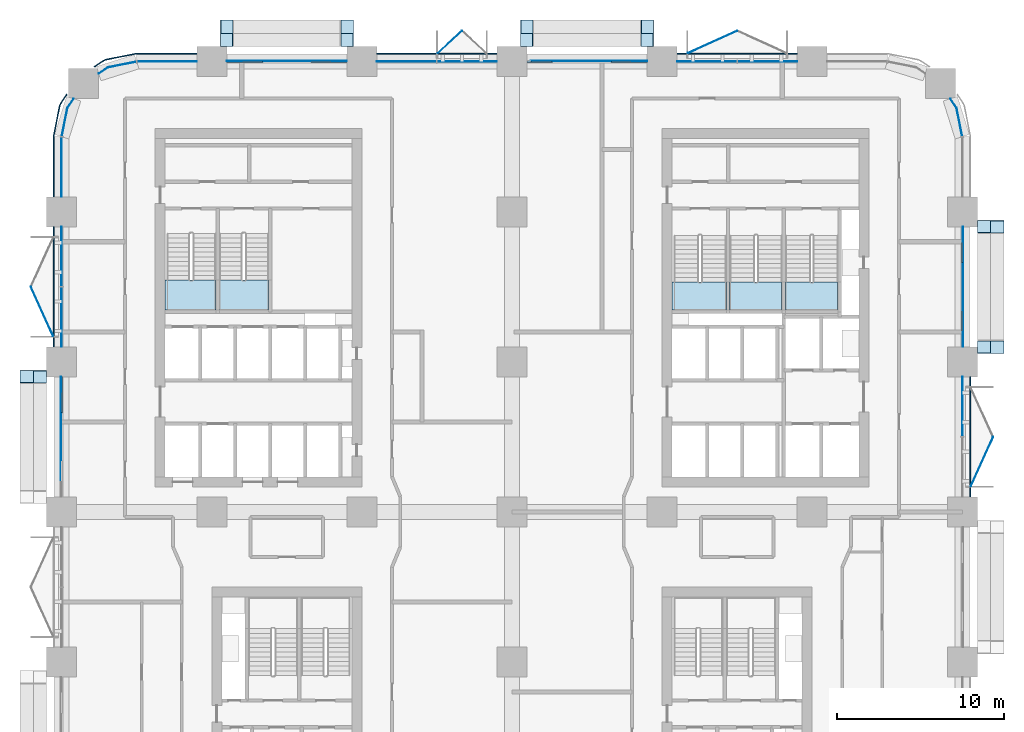
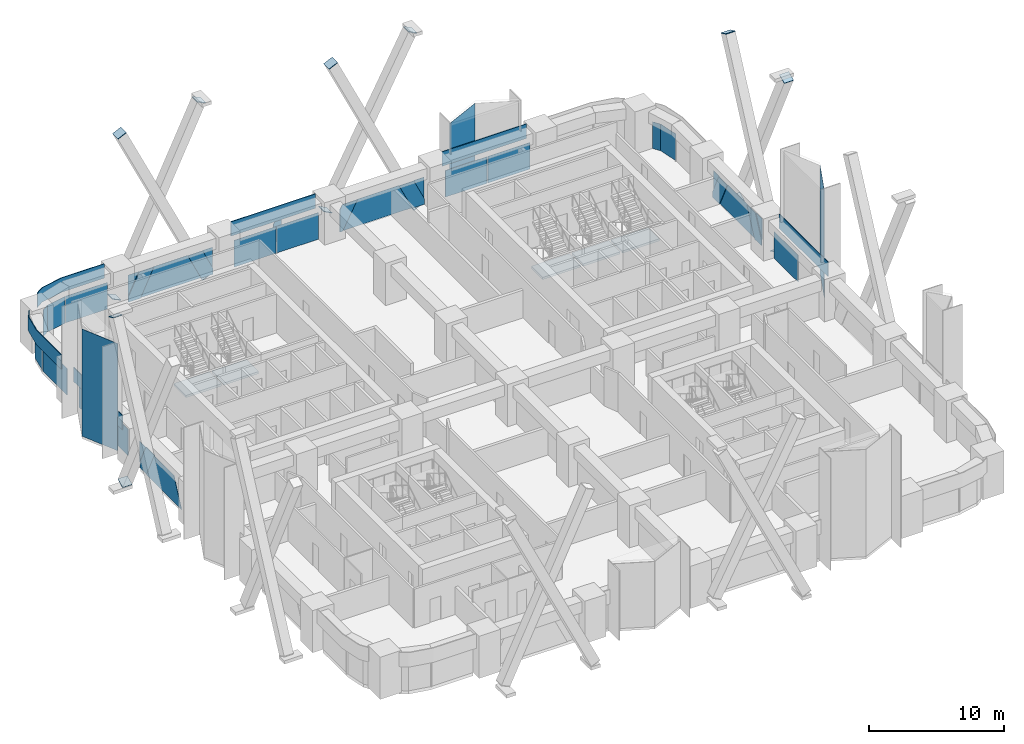
# One storey, part 13 of 26: 53 plates, 5 slabs, 16 elements without a shape of their own.
"""IFC4 building model written with IfcOpenShell, lengths in metres."""

from ifc_helpers import new_model, si_unit, direction, frame, origin, origin_2d, place, context, subcontext, project, spatial, polyline, rectangle, outline, extrude, material, layer, layer_set, type_object, element, aggregate, save


model = new_model("IFC4")

# Units and contexts
model_context = context("Model", 3, precision=1e-05, world=origin(), true_north=direction((0.0, 1.0)))
body_context = subcontext(model_context, "Body", "Model", "MODEL_VIEW")
ifc_project = project(units=[si_unit("LENGTHUNIT", "METRE"), si_unit("AREAUNIT", "SQUARE_METRE"), si_unit("VOLUMEUNIT", "CUBIC_METRE"), si_unit("PLANEANGLEUNIT", "RADIAN"), si_unit("MASSUNIT", "GRAM", prefix="KILO")], contexts=[model_context])

# Site, building, storey
site_placement = place(None, origin())
site = spatial("IfcSite", under=ifc_project, at=site_placement, CompositionType="ELEMENT")
building_placement = place(site_placement, origin())
building = spatial("IfcBuilding", under=site, at=building_placement, Name="Tessera Arch", CompositionType="ELEMENT")
storey_placement = place(building_placement, frame((0.0, 0.0, 31.0)))
storey = spatial("IfcBuildingStorey", under=building, at=storey_placement, Name="L05", CompositionType="ELEMENT", Elevation=31.0)

# Curtain wall, plate
ifc_material_1 = material(Name="CW1 curtain wall")
curtain_wall_type_1 = type_object("IfcCurtainWallType", Name="CW1 curtain wall", PredefinedType="NOTDEFINED", material=ifc_material_1)
curtain_wall_1_placement = place(storey_placement, origin())
curtain_wall_1 = element("IfcCurtainWall", 1, at=curtain_wall_1_placement, inside=storey, type_object=curtain_wall_type_1, Name="CW1 curtain wall E54.0/3 L05", PredefinedType="NOTDEFINED")
ifc_material_2 = material(Name="Clear low-e glass", Category="glass")
ifc_material_3 = material(Name="Clear low-e glass", Category="glass")
ifc_layer_1 = layer(ifc_material_3, 0.028076171875)
ifc_layer_set_1 = layer_set([ifc_layer_1], Name="CW1 glass panel")
plate_type_1 = type_object("IfcPlateType", Name="CW1 glass panel", PredefinedType="CURTAIN_PANEL", material=ifc_layer_set_1)
plate_1_placement = place(storey_placement, frame((54.0, 33.31494140625, 0.0), z_axis=(0.0, 0.0, 1.0), x_axis=(0.0, 1.0, 0.0)))
plate_1 = element("IfcPlate", 2, at=plate_1_placement, type_object=plate_type_1, material=ifc_material_2, Name="CW1 glass panel E54.0/3 1.2.1", PredefinedType="CURTAIN_PANEL", context=body_context, shape_type="SweptSolid", body=[
    extrude(rectangle(XDim=3.570068359375, YDim=0.028076171875, at=origin_2d()), origin(), (0.0, 0.0, 1.0), 2.39990234375),
])

# Curtain wall, plates
curtain_wall_2_placement = place(storey_placement, origin())
curtain_wall_2 = element("IfcCurtainWall", 3, at=curtain_wall_2_placement, inside=storey, type_object=curtain_wall_type_1, Name="CW1 curtain wall N54.0/1 L05", PredefinedType="NOTDEFINED")
plate_2_placement = place(storey_placement, frame((42.31494140625, 54.0, 0.0), z_axis=(0.0, 0.0, 1.0), x_axis=(-1.0, 0.0, 0.0)))
plate_2 = element("IfcPlate", 4, at=plate_2_placement, type_object=plate_type_1, material=ifc_material_2, Name="CW1 glass panel N54.0/1 1.1.1", PredefinedType="CURTAIN_PANEL", context=body_context, shape_type="SweptSolid", body=[
    extrude(rectangle(XDim=3.570068359375, YDim=0.028076171875, at=origin_2d()), origin(), (0.0, 0.0, 1.0), 2.39990234375),
])
plate_3_placement = place(storey_placement, frame((38.68505859375, 54.0, 0.0), z_axis=(0.0, 0.0, 1.0), x_axis=(-1.0, 0.0, 0.0)))
plate_3 = element("IfcPlate", 5, at=plate_3_placement, type_object=plate_type_1, material=ifc_material_2, Name="CW1 glass panel N54.0/1 1.2.1", PredefinedType="CURTAIN_PANEL", context=body_context, shape_type="SweptSolid", body=[
    extrude(rectangle(XDim=3.570068359375, YDim=0.028076171875, at=origin_2d()), origin(), (0.0, 0.0, 1.0), 2.39990234375),
])

curtain_wall_3_placement = place(storey_placement, origin())
curtain_wall_3 = element("IfcCurtainWall", 6, at=curtain_wall_3_placement, inside=storey, type_object=curtain_wall_type_1, Name="CW1 curtain wall N54.0/3 L05", PredefinedType="NOTDEFINED")
plate_4_placement = place(storey_placement, frame((24.31494140625, 54.0, 0.0), z_axis=(0.0, 0.0, 1.0), x_axis=(-1.0, 0.0, 0.0)))
plate_4 = element("IfcPlate", 7, at=plate_4_placement, type_object=plate_type_1, material=ifc_material_2, Name="CW1 glass panel N54.0/3 1.1.1", PredefinedType="CURTAIN_PANEL", context=body_context, shape_type="SweptSolid", body=[
    extrude(rectangle(XDim=3.570068359375, YDim=0.028076171875, at=origin_2d()), origin(), (0.0, 0.0, 1.0), 2.39990234375),
])
plate_5_placement = place(storey_placement, frame((20.68505859375, 54.0, 0.0), z_axis=(0.0, 0.0, 1.0), x_axis=(-1.0, 0.0, 0.0)))
plate_5 = element("IfcPlate", 8, at=plate_5_placement, type_object=plate_type_1, material=ifc_material_2, Name="CW1 glass panel N54.0/3 1.2.1", PredefinedType="CURTAIN_PANEL", context=body_context, shape_type="SweptSolid", body=[
    extrude(rectangle(XDim=3.570068359375, YDim=0.028076171875, at=origin_2d()), origin(), (0.0, 0.0, 1.0), 2.39990234375),
])

curtain_wall_4_placement = place(storey_placement, origin())
curtain_wall_4 = element("IfcCurtainWall", 9, at=curtain_wall_4_placement, inside=storey, type_object=curtain_wall_type_1, Name="CW1 curtain wall W0.0/1 L05", PredefinedType="NOTDEFINED")
plate_6_placement = place(storey_placement, frame((0.0, 42.31494140625, 0.0), z_axis=(0.0, 0.0, 1.0), x_axis=(0.0, -1.0, 0.0)))
plate_6 = element("IfcPlate", 10, at=plate_6_placement, type_object=plate_type_1, material=ifc_material_2, Name="CW1 glass panel W0.0/1 1.1.1", PredefinedType="CURTAIN_PANEL", context=body_context, shape_type="SweptSolid", body=[
    extrude(rectangle(XDim=3.570068359375, YDim=0.028076171875, at=origin_2d()), origin(), (0.0, 0.0, 1.0), 2.39990234375),
])
plate_7_placement = place(storey_placement, frame((0.0, 38.68505859375, 0.0), z_axis=(0.0, 0.0, 1.0), x_axis=(0.0, -1.0, 0.0)))
plate_7 = element("IfcPlate", 11, at=plate_7_placement, type_object=plate_type_1, material=ifc_material_2, Name="CW1 glass panel W0.0/1 1.2.1", PredefinedType="CURTAIN_PANEL", context=body_context, shape_type="SweptSolid", body=[
    extrude(rectangle(XDim=3.570068359375, YDim=0.028076171875, at=origin_2d()), origin(), (0.0, 0.0, 1.0), 2.39990234375),
])

# Plate
ifc_material_4 = material(Name="Pale anodised aluminium panel", Category="aluminium")
ifc_layer_2 = layer(ifc_material_4, 0.06005859375)
ifc_layer_set_2 = layer_set([ifc_layer_2], Name="CW1 spandrel panel")
plate_type_2 = type_object("IfcPlateType", Name="CW1 spandrel panel", PredefinedType="CURTAIN_PANEL", material=ifc_layer_set_2)
plate_8_placement = place(storey_placement, frame((54.47998046875, 31.5, 2.5), z_axis=(0.0, 0.0, 1.0), x_axis=(0.0, 1.0, 0.0)))
plate_8 = element("IfcPlate", 12, at=plate_8_placement, type_object=plate_type_2, Name="CW1 spandrel panel E54.0/3", PredefinedType="CURTAIN_PANEL", context=body_context, shape_type="SweptSolid", body=[
    extrude(rectangle(XDim=7.199951171875, YDim=0.06005859375, at=origin_2d()), origin(), (0.0, 0.0, 1.0), 1.300048828125),
])

aggregate(curtain_wall_1, [plate_1, plate_8])

plate_9_placement = place(storey_placement, frame((40.5, 54.47998046875, 2.5), z_axis=(0.0, 0.0, 1.0), x_axis=(-1.0, 0.0, 0.0)))
plate_9 = element("IfcPlate", 13, at=plate_9_placement, type_object=plate_type_2, Name="CW1 spandrel panel N54.0/1", PredefinedType="CURTAIN_PANEL", context=body_context, shape_type="SweptSolid", body=[
    extrude(rectangle(XDim=7.199951171875, YDim=0.06005859375, at=origin_2d()), origin(), (0.0, 0.0, 1.0), 1.300048828125),
])

aggregate(curtain_wall_2, [plate_2, plate_3, plate_9])

plate_10_placement = place(storey_placement, frame((22.5, 54.47998046875, 2.5), z_axis=(0.0, 0.0, 1.0), x_axis=(-1.0, 0.0, 0.0)))
plate_10 = element("IfcPlate", 14, at=plate_10_placement, type_object=plate_type_2, Name="CW1 spandrel panel N54.0/3", PredefinedType="CURTAIN_PANEL", context=body_context, shape_type="SweptSolid", body=[
    extrude(rectangle(XDim=7.199951171875, YDim=0.06005859375, at=origin_2d()), origin(), (0.0, 0.0, 1.0), 1.300048828125),
])

aggregate(curtain_wall_3, [plate_4, plate_5, plate_10])

plate_11_placement = place(storey_placement, frame((-0.47998046875, 40.5, 2.5), z_axis=(0.0, 0.0, 1.0), x_axis=(0.0, -1.0, 0.0)))
plate_11 = element("IfcPlate", 15, at=plate_11_placement, type_object=plate_type_2, Name="CW1 spandrel panel W0.0/1", PredefinedType="CURTAIN_PANEL", context=body_context, shape_type="SweptSolid", body=[
    extrude(rectangle(XDim=7.199951171875, YDim=0.06005859375, at=origin_2d()), origin(), (0.0, 0.0, 1.0), 1.300048828125),
])

aggregate(curtain_wall_4, [plate_6, plate_7, plate_11])

# Curtain wall, plate
ifc_material_5 = material(Name="CW2 curtain wall")
curtain_wall_type_2 = type_object("IfcCurtainWallType", Name="CW2 curtain wall", PredefinedType="NOTDEFINED", material=ifc_material_5)
curtain_wall_5_placement = place(storey_placement, origin())
curtain_wall_5 = element("IfcCurtainWall", 16, at=curtain_wall_5_placement, inside=storey, type_object=curtain_wall_type_2, Name="CW2 curtain wall E54.0/5 L05", PredefinedType="NOTDEFINED")
ifc_material_6 = material(Name="Clear low-e glass", Category="glass")
ifc_layer_3 = layer(ifc_material_6, 0.028076171875)
ifc_layer_set_3 = layer_set([ifc_layer_3], Name="CW2 glass panel")
plate_type_3 = type_object("IfcPlateType", Name="CW2 glass panel", PredefinedType="CURTAIN_PANEL", material=ifc_layer_set_3)
plate_12_placement = place(storey_placement, origin())
plate_12 = element("IfcPlate", 17, at=plate_12_placement, type_object=plate_type_3, material=ifc_material_2, Name="CW2 curved glass panel E54.0/5 2.1", PredefinedType="CURTAIN_PANEL", context=body_context, shape_type="SweptSolid", body=[
    extrude(outline(polyline([(53.644287109375, 51.216552734375), (53.978515625, 49.53662109375), (54.005859375, 49.5419921875), (53.670654296875, 51.2275390625), (53.294921875, 51.789794921875), (53.271728515625, 51.774169921875), (53.644287109375, 51.216552734375)])), origin(), (0.0, 0.0, 1.0), 2.39990234375),
])
aggregate(curtain_wall_5, [plate_12])

# Curtain wall, plates
curtain_wall_6_placement = place(storey_placement, origin())
curtain_wall_6 = element("IfcCurtainWall", 18, at=curtain_wall_6_placement, inside=storey, type_object=curtain_wall_type_2, Name="CW2 curtain wall N54.0/5 L05", PredefinedType="NOTDEFINED")
plate_13_placement = place(storey_placement, frame((6.320068359375, 54.0, 0.0), z_axis=(0.0, 0.0, 1.0), x_axis=(-1.0, 0.0, 0.0)))
plate_13 = element("IfcPlate", 19, at=plate_13_placement, type_object=plate_type_3, material=ifc_material_2, Name="CW2 glass panel N54.0/5 1.1", PredefinedType="CURTAIN_PANEL", context=body_context, shape_type="SweptSolid", body=[
    extrude(rectangle(XDim=3.56005859375, YDim=0.028076171875, at=origin_2d()), origin(), (0.0, 0.0, 1.0), 2.39990234375),
])
plate_14_placement = place(storey_placement, origin())
plate_14 = element("IfcPlate", 20, at=plate_14_placement, type_object=plate_type_3, material=ifc_material_2, Name="CW2 curved glass panel N54.0/5 2.1", PredefinedType="CURTAIN_PANEL", context=body_context, shape_type="SweptSolid", body=[
    extrude(outline(polyline([(2.783447265625, 53.644287109375), (4.46337890625, 53.978515625), (4.4580078125, 54.005859375), (2.7724609375, 53.670654296875), (2.210205078125, 53.294921875), (2.225830078125, 53.271728515625), (2.783447265625, 53.644287109375)])), origin(), (0.0, 0.0, 1.0), 2.39990234375),
])

curtain_wall_7_placement = place(storey_placement, origin())
curtain_wall_7 = element("IfcCurtainWall", 21, at=curtain_wall_7_placement, inside=storey, type_object=curtain_wall_type_2, Name="CW2 curtain wall W0.0/0 L05", PredefinedType="NOTDEFINED")
plate_15_placement = place(storey_placement, frame((0.0, 47.679931640625, 0.0), z_axis=(0.0, 0.0, 1.0), x_axis=(0.0, -1.0, 0.0)))
plate_15 = element("IfcPlate", 22, at=plate_15_placement, type_object=plate_type_3, material=ifc_material_2, Name="CW2 glass panel W0.0/0 1.1", PredefinedType="CURTAIN_PANEL", context=body_context, shape_type="SweptSolid", body=[
    extrude(rectangle(XDim=3.56005859375, YDim=0.028076171875, at=origin_2d()), origin(), (0.0, 0.0, 1.0), 2.39990234375),
])
plate_16_placement = place(storey_placement, origin())
plate_16 = element("IfcPlate", 23, at=plate_16_placement, type_object=plate_type_3, material=ifc_material_2, Name="CW2 curved glass panel W0.0/0 2.1", PredefinedType="CURTAIN_PANEL", context=body_context, shape_type="SweptSolid", body=[
    extrude(outline(polyline([(0.355712890625, 51.216552734375), (0.728271484375, 51.774169921875), (0.705078125, 51.789794921875), (0.329345703125, 51.2275390625), (-0.005859375, 49.5419921875), (0.021484375, 49.53662109375), (0.355712890625, 51.216552734375)])), origin(), (0.0, 0.0, 1.0), 2.39990234375),
])

# Plate
ifc_material_7 = material(Name="Pale anodised aluminium panel", Category="aluminium")
ifc_layer_4 = layer(ifc_material_7, 0.06005859375)
ifc_layer_set_4 = layer_set([ifc_layer_4], Name="CW2 spandrel panel")
plate_type_4 = type_object("IfcPlateType", Name="CW2 spandrel panel", PredefinedType="CURTAIN_PANEL", material=ifc_layer_set_4)
plate_17_placement = place(storey_placement, frame((0.0, 0.0, 2.5)))
plate_17 = element("IfcPlate", 24, at=plate_17_placement, type_object=plate_type_4, Name="CW2 spandrel panel N54.0/5", PredefinedType="CURTAIN_PANEL", context=body_context, shape_type="SweptSolid", body=[
    extrude(outline(polyline([(4.500732421875, 54.449951171875), (8.10009765625, 54.449951171875), (8.10009765625, 54.510009765625), (4.499267578125, 54.510009765625), (4.449951171875, 54.507568359375), (4.401123046875, 54.500244140625), (2.677734375, 54.157470703125), (2.6298828125, 54.1455078125), (2.582763671875, 54.128662109375), (2.537353515625, 54.107177734375), (2.4951171875, 54.08203125), (1.9345703125, 53.707275390625), (1.968017578125, 53.657470703125), (2.52734375, 54.03125), (2.565673828125, 54.05419921875), (2.605712890625, 54.0732421875), (2.647216796875, 54.088134765625), (2.69091796875, 54.09912109375), (4.411376953125, 54.441162109375), (4.455810546875, 54.44775390625), (4.500732421875, 54.449951171875)])), origin(), (0.0, 0.0, 1.0), 1.300048828125),
])

aggregate(curtain_wall_6, [plate_13, plate_14, plate_17])

plate_18_placement = place(storey_placement, frame((0.0, 0.0, 2.5)))
plate_18 = element("IfcPlate", 25, at=plate_18_placement, type_object=plate_type_4, Name="CW2 spandrel panel W0.0/0", PredefinedType="CURTAIN_PANEL", context=body_context, shape_type="SweptSolid", body=[
    extrude(outline(polyline([(-0.03125, 51.47265625), (0.342529296875, 52.031982421875), (0.292724609375, 52.0654296875), (-0.08203125, 51.5048828125), (-0.107177734375, 51.462646484375), (-0.128662109375, 51.417236328125), (-0.1455078125, 51.3701171875), (-0.157470703125, 51.322265625), (-0.500244140625, 49.598876953125), (-0.507568359375, 49.550048828125), (-0.510009765625, 49.500732421875), (-0.510009765625, 45.89990234375), (-0.449951171875, 45.89990234375), (-0.449951171875, 49.499267578125), (-0.44775390625, 49.544189453125), (-0.441162109375, 49.588623046875), (-0.09912109375, 51.30908203125), (-0.088134765625, 51.352783203125), (-0.0732421875, 51.394287109375), (-0.05419921875, 51.434326171875), (-0.03125, 51.47265625)])), origin(), (0.0, 0.0, 1.0), 1.300048828125),
])

aggregate(curtain_wall_7, [plate_15, plate_16, plate_18])

# Curtain wall, plates
ifc_material_8 = material(Name="CW3 curtain wall")
curtain_wall_type_3 = type_object("IfcCurtainWallType", Name="CW3 curtain wall", PredefinedType="NOTDEFINED", material=ifc_material_8)
curtain_wall_8_placement = place(storey_placement, origin())
curtain_wall_8 = element("IfcCurtainWall", 26, at=curtain_wall_8_placement, inside=storey, type_object=curtain_wall_type_3, Name="CW3 curtain wall E54.0/4 L05", PredefinedType="NOTDEFINED")
ifc_material_9 = material(Name="Pale anodised aluminium panel", Category="aluminium")
ifc_layer_5 = layer(ifc_material_9, 0.06005859375)
ifc_layer_set_5 = layer_set([ifc_layer_5], Name="CW3 diagonal panel")
plate_type_5 = type_object("IfcPlateType", Name="CW3 diagonal panel", PredefinedType="CURTAIN_PANEL", material=ifc_layer_set_5)
plate_19_placement = place(storey_placement, frame((54.030029296875, 44.10009765625, 0.0), z_axis=(1.0, 0.0, 0.0), x_axis=(0.0, 0.0, 1.0)))
plate_19 = element("IfcPlate", 27, at=plate_19_placement, type_object=plate_type_5, Name="CW3 diagonal panel E54.0/4 1", PredefinedType="CURTAIN_PANEL", context=body_context, shape_type="SweptSolid", body=[
    extrude(outline(polyline([(0.0, 0.0), (0.52685546875, 0.0), (2.39990234375, 0.887451171875), (2.39990234375, 2.144287109375), (0.0, 1.007568359375), (0.0, 0.0)])), origin(), (0.0, 0.0, -1.0), 0.06005859375),
])
plate_20_placement = place(storey_placement, frame((54.030029296875, 39.044189453125, 2.39990234375), z_axis=(1.0, 0.0, 0.0), x_axis=(0.0, -1.0, 0.0)))
plate_20 = element("IfcPlate", 28, at=plate_20_placement, type_object=plate_type_5, Name="CW3 diagonal panel E54.0/4 2", PredefinedType="CURTAIN_PANEL", context=body_context, shape_type="SweptSolid", body=[
    extrude(outline(polyline([(0.0, 0.0), (1.2568359375, 0.0), (2.144287109375, 1.873046875), (2.144287109375, 2.39990234375), (1.13671875, 2.39990234375), (0.0, 0.0)])), origin(), (0.0, 0.0, -1.0), 0.06005859375),
])

curtain_wall_9_placement = place(storey_placement, origin())
curtain_wall_9 = element("IfcCurtainWall", 29, at=curtain_wall_9_placement, inside=storey, type_object=curtain_wall_type_3, Name="CW3 curtain wall N54.0/2 L05", PredefinedType="NOTDEFINED")
plate_21_placement = place(storey_placement, frame((27.89990234375, 54.030029296875, 0.0), z_axis=(0.0, 1.0, 0.0), x_axis=(0.0, 0.0, 1.0)))
plate_21 = element("IfcPlate", 30, at=plate_21_placement, type_object=plate_type_5, Name="CW3 diagonal panel N54.0/2 1", PredefinedType="CURTAIN_PANEL", context=body_context, shape_type="SweptSolid", body=[
    extrude(outline(polyline([(0.0, 0.0), (1.986083984375, 0.0), (2.39990234375, 0.21875), (2.39990234375, 1.50341796875), (0.0, 0.23583984375), (0.0, 0.0)])), origin(), (0.0, 0.0, -1.0), 0.06005859375),
])
plate_22_placement = place(storey_placement, frame((32.955810546875, 54.030029296875, 2.39990234375), z_axis=(0.0, 1.0, 0.0), x_axis=(1.0, 0.0, 0.0)))
plate_22 = element("IfcPlate", 31, at=plate_22_placement, type_object=plate_type_5, Name="CW3 diagonal panel N54.0/2 2", PredefinedType="CURTAIN_PANEL", context=body_context, shape_type="SweptSolid", body=[
    extrude(outline(polyline([(0.0, 0.0), (1.2568359375, 0.0), (2.144287109375, 1.873046875), (2.144287109375, 2.39990234375), (1.13671875, 2.39990234375), (0.0, 0.0)])), origin(), (0.0, 0.0, -1.0), 0.06005859375),
])

curtain_wall_10_placement = place(storey_placement, origin())
curtain_wall_10 = element("IfcCurtainWall", 32, at=curtain_wall_10_placement, inside=storey, type_object=curtain_wall_type_3, Name="CW3 curtain wall N54.0/4 L05", PredefinedType="NOTDEFINED")
plate_23_placement = place(storey_placement, frame((9.89990234375, 54.030029296875, 0.0), z_axis=(0.0, 1.0, 0.0), x_axis=(0.0, 0.0, 1.0)))
plate_23 = element("IfcPlate", 33, at=plate_23_placement, type_object=plate_type_5, Name="CW3 diagonal panel N54.0/4 1", PredefinedType="CURTAIN_PANEL", context=body_context, shape_type="SweptSolid", body=[
    extrude(outline(polyline([(0.0, 0.0), (0.52685546875, 0.0), (2.39990234375, 0.887451171875), (2.39990234375, 2.144287109375), (0.0, 1.007568359375), (0.0, 0.0)])), origin(), (0.0, 0.0, -1.0), 0.06005859375),
])
plate_24_placement = place(storey_placement, frame((14.955810546875, 54.030029296875, 2.39990234375), z_axis=(0.0, 1.0, 0.0), x_axis=(1.0, 0.0, 0.0)))
plate_24 = element("IfcPlate", 34, at=plate_24_placement, type_object=plate_type_5, Name="CW3 diagonal panel N54.0/4 2", PredefinedType="CURTAIN_PANEL", context=body_context, shape_type="SweptSolid", body=[
    extrude(outline(polyline([(0.0, 0.0), (1.2568359375, 0.0), (2.144287109375, 1.873046875), (2.144287109375, 2.39990234375), (1.13671875, 2.39990234375), (0.0, 0.0)])), origin(), (0.0, 0.0, -1.0), 0.06005859375),
])

# Curtain wall, plate
curtain_wall_11_placement = place(storey_placement, origin())
curtain_wall_11 = element("IfcCurtainWall", 35, at=curtain_wall_11_placement, inside=storey, type_object=curtain_wall_type_3, Name="CW3 curtain wall W0.0/2 L05", PredefinedType="NOTDEFINED")
plate_25_placement = place(storey_placement, frame((-0.030029296875, 32.955810546875, 2.39990234375), z_axis=(-1.0, 0.0, 0.0), x_axis=(0.0, 1.0, 0.0)))
plate_25 = element("IfcPlate", 36, at=plate_25_placement, type_object=plate_type_5, Name="CW3 diagonal panel W0.0/2 2", PredefinedType="CURTAIN_PANEL", context=body_context, shape_type="SweptSolid", body=[
    extrude(outline(polyline([(0.0, 0.0), (1.2568359375, 0.0), (2.144287109375, 1.873046875), (2.144287109375, 2.39990234375), (1.13671875, 2.39990234375), (0.0, 0.0)])), origin(), (0.0, 0.0, -1.0), 0.06005859375),
])

# Plate
ifc_material_10 = material(Name="Clear low-e glass", Category="glass")
ifc_layer_6 = layer(ifc_material_10, 0.028076171875)
ifc_layer_set_6 = layer_set([ifc_layer_6], Name="CW3 glass panel")
plate_type_6 = type_object("IfcPlateType", Name="CW3 glass panel", PredefinedType="CURTAIN_PANEL", material=ifc_layer_set_6)
plate_26_placement = place(storey_placement, frame((54.05810546875, 36.89990234375, 2.39990234375), z_axis=(1.0, 0.0, 0.0), x_axis=(0.0, 0.0, -1.0)))
plate_26 = element("IfcPlate", 37, at=plate_26_placement, type_object=plate_type_6, material=ifc_material_2, Name="CW3 triangulated glass panel E54.0/4 1", PredefinedType="CURTAIN_PANEL", context=body_context, shape_type="SweptSolid", body=[
    extrude(outline(polyline([(0.0, 0.0), (1.873046875, 0.0), (0.0, 0.887451171875), (0.0, 0.0)])), origin(), (0.0, 0.0, -1.0), 0.028076171875),
])

plate_27_placement = place(storey_placement, frame((54.05810546875, 41.955810546875, 2.39990234375), z_axis=(1.0, 0.0, 0.0), x_axis=(0.0, -1.0, 0.0)))
plate_27 = element("IfcPlate", 38, at=plate_27_placement, type_object=plate_type_6, material=ifc_material_2, Name="CW3 triangulated glass panel E54.0/4 2", PredefinedType="CURTAIN_PANEL", context=body_context, shape_type="SweptSolid", body=[
    extrude(outline(polyline([(0.0, 0.0), (2.91162109375, 0.0), (4.04833984375, 2.39990234375), (-1.13671875, 2.39990234375), (0.0, 0.0)])), origin(), (0.0, 0.0, -1.0), 0.028076171875),
])

plate_28_placement = place(storey_placement, frame((54.05810546875, 44.10009765625, 2.39990234375), z_axis=(1.0, 0.0, 0.0), x_axis=(0.0, -1.0, 0.0)))
plate_28 = element("IfcPlate", 39, at=plate_28_placement, type_object=plate_type_6, material=ifc_material_2, Name="CW3 triangulated glass panel E54.0/4 3", PredefinedType="CURTAIN_PANEL", context=body_context, shape_type="SweptSolid", body=[
    extrude(outline(polyline([(0.0, 0.0), (0.887451171875, 0.0), (0.0, 1.873046875), (0.0, 0.0)])), origin(), (0.0, 0.0, -1.0), 0.028076171875),
])

aggregate(curtain_wall_8, [plate_26, plate_27, plate_28, plate_19, plate_20])

plate_29_placement = place(storey_placement, frame((35.10009765625, 54.05810546875, 2.39990234375), z_axis=(0.0, 1.0, 0.0), x_axis=(0.0, 0.0, -1.0)))
plate_29 = element("IfcPlate", 40, at=plate_29_placement, type_object=plate_type_6, material=ifc_material_2, Name="CW3 triangulated glass panel N54.0/2 1", PredefinedType="CURTAIN_PANEL", context=body_context, shape_type="SweptSolid", body=[
    extrude(outline(polyline([(0.0, 0.0), (1.873046875, 0.0), (0.0, 0.887451171875), (0.0, 0.0)])), origin(), (0.0, 0.0, -1.0), 0.028076171875),
])

plate_30_placement = place(storey_placement, frame((29.4033203125, 54.05810546875, 2.39990234375), z_axis=(0.0, 1.0, 0.0), x_axis=(1.0, 0.0, 0.0)))
plate_30 = element("IfcPlate", 41, at=plate_30_placement, type_object=plate_type_6, material=ifc_material_2, Name="CW3 triangulated glass panel N54.0/2 2", PredefinedType="CURTAIN_PANEL", context=body_context, shape_type="SweptSolid", body=[
    extrude(outline(polyline([(0.0, 0.0), (3.552490234375, 0.0), (4.689208984375, 2.39990234375), (-1.267578125, 2.39990234375), (0.0, 0.0)])), origin(), (0.0, 0.0, -1.0), 0.028076171875),
])

aggregate(curtain_wall_9, [plate_29, plate_30, plate_21, plate_22])

plate_31_placement = place(storey_placement, frame((17.10009765625, 54.05810546875, 2.39990234375), z_axis=(0.0, 1.0, 0.0), x_axis=(0.0, 0.0, -1.0)))
plate_31 = element("IfcPlate", 42, at=plate_31_placement, type_object=plate_type_6, material=ifc_material_2, Name="CW3 triangulated glass panel N54.0/4 1", PredefinedType="CURTAIN_PANEL", context=body_context, shape_type="SweptSolid", body=[
    extrude(outline(polyline([(0.0, 0.0), (1.873046875, 0.0), (0.0, 0.887451171875), (0.0, 0.0)])), origin(), (0.0, 0.0, -1.0), 0.028076171875),
])

plate_32_placement = place(storey_placement, frame((12.044189453125, 54.05810546875, 2.39990234375), z_axis=(0.0, 1.0, 0.0), x_axis=(1.0, 0.0, 0.0)))
plate_32 = element("IfcPlate", 43, at=plate_32_placement, type_object=plate_type_6, material=ifc_material_2, Name="CW3 triangulated glass panel N54.0/4 2", PredefinedType="CURTAIN_PANEL", context=body_context, shape_type="SweptSolid", body=[
    extrude(outline(polyline([(0.0, 0.0), (2.91162109375, 0.0), (4.04833984375, 2.39990234375), (-1.13671875, 2.39990234375), (0.0, 0.0)])), origin(), (0.0, 0.0, -1.0), 0.028076171875),
])

plate_33_placement = place(storey_placement, frame((9.89990234375, 54.05810546875, 2.39990234375), z_axis=(0.0, 1.0, 0.0), x_axis=(1.0, 0.0, 0.0)))
plate_33 = element("IfcPlate", 44, at=plate_33_placement, type_object=plate_type_6, material=ifc_material_2, Name="CW3 triangulated glass panel N54.0/4 3", PredefinedType="CURTAIN_PANEL", context=body_context, shape_type="SweptSolid", body=[
    extrude(outline(polyline([(0.0, 0.0), (0.887451171875, 0.0), (0.0, 1.873046875), (0.0, 0.0)])), origin(), (0.0, 0.0, -1.0), 0.028076171875),
])

aggregate(curtain_wall_10, [plate_31, plate_32, plate_33, plate_23, plate_24])

plate_34_placement = place(storey_placement, frame((-0.05810546875, 35.10009765625, 2.39990234375), z_axis=(-1.0, 0.0, 0.0), x_axis=(0.0, 0.0, -1.0)))
plate_34 = element("IfcPlate", 45, at=plate_34_placement, type_object=plate_type_6, material=ifc_material_2, Name="CW3 triangulated glass panel W0.0/2 1", PredefinedType="CURTAIN_PANEL", context=body_context, shape_type="SweptSolid", body=[
    extrude(outline(polyline([(0.0, 0.0), (1.873046875, 0.0), (0.0, 0.887451171875), (0.0, 0.0)])), origin(), (0.0, 0.0, -1.0), 0.028076171875),
])

plate_35_placement = place(storey_placement, frame((-0.05810546875, 30.044189453125, 2.39990234375), z_axis=(-1.0, 0.0, 0.0), x_axis=(0.0, 1.0, 0.0)))
plate_35 = element("IfcPlate", 46, at=plate_35_placement, type_object=plate_type_6, material=ifc_material_2, Name="CW3 triangulated glass panel W0.0/2 2", PredefinedType="CURTAIN_PANEL", context=body_context, shape_type="SweptSolid", body=[
    extrude(outline(polyline([(0.0, 0.0), (2.91162109375, 0.0), (4.04833984375, 2.39990234375), (-1.13671875, 2.39990234375), (0.0, 0.0)])), origin(), (0.0, 0.0, -1.0), 0.028076171875),
])

aggregate(curtain_wall_11, [plate_34, plate_35, plate_25])

# Plates
ifc_material_11 = material(Name="Steel A572 Gr50", Category="steel")
ifc_layer_7 = layer(ifc_material_11, 0.050048828125)
ifc_layer_set_7 = layer_set([ifc_layer_7], Name="End plate BOX 800x800x60")
plate_type_7 = type_object("IfcPlateType", Name="End plate BOX 800x800x60", PredefinedType="SHEET", material=ifc_layer_set_7)
for number, where, z_axis, x_axis, name in (
    (47, (55.300048828125, 36.878662109375, -0.84521484375), (0.0, 0.425561453383, 0.904929527308), (-1.0, 0.0, 0.0), "End plate BOX 800x800x60 E54.0-4 A1 L05"),
    (48, (55.300048828125, 44.10009765625, 14.39990234375), (0.0, 0.425561453383, 0.904929527308), (-1.0, 0.0, 0.0), "End plate BOX 800x800x60 E54.0-4 A2 L05"),
    (49, (56.10009765625, 44.121337890625, -0.84521484375), (0.0, -0.425561453383, 0.904929527308), (1.0, 0.0, 0.0), "End plate BOX 800x800x60 E54.0-4 B1 L05"),
    (50, (56.10009765625, 36.89990234375, 14.39990234375), (0.0, -0.425561453383, 0.904929527308), (1.0, 0.0, 0.0), "End plate BOX 800x800x60 E54.0-4 B2 L05"),
    (51, (35.121337890625, 55.300048828125, -0.84521484375), (-0.425561453383, 0.0, 0.904929527308), (0.0, -1.0, 0.0), "End plate BOX 800x800x60 N54.0-2 A1 L05"),
    (52, (27.89990234375, 55.300048828125, 14.39990234375), (-0.425561453383, 0.0, 0.904929527308), (0.0, -1.0, 0.0), "End plate BOX 800x800x60 N54.0-2 A2 L05"),
    (53, (27.876708984375, 56.10009765625, 0.725830078125), (0.464738022101, 0.0, 0.885448231583), (0.0, 1.0, 0.0), "End plate BOX 800x800x60 N54.0-2 B1 L05"),
    (54, (35.10009765625, 56.10009765625, 14.39990234375), (0.464738022101, 0.0, 0.885448231583), (0.0, 1.0, 0.0), "End plate BOX 800x800x60 N54.0-2 B2 L05"),
    (55, (17.121337890625, 55.300048828125, -0.84521484375), (-0.425561453383, 0.0, 0.904929527308), (0.0, -1.0, 0.0), "End plate BOX 800x800x60 N54.0-4 A1 L05"),
    (56, (9.89990234375, 55.300048828125, 14.39990234375), (-0.425561453383, 0.0, 0.904929527308), (0.0, -1.0, 0.0), "End plate BOX 800x800x60 N54.0-4 A2 L05"),
    (57, (9.878662109375, 56.10009765625, -0.84521484375), (0.425561453383, 0.0, 0.904929527308), (0.0, 1.0, 0.0), "End plate BOX 800x800x60 N54.0-4 B1 L05"),
    (58, (17.10009765625, 56.10009765625, 14.39990234375), (0.425561453383, 0.0, 0.904929527308), (0.0, 1.0, 0.0), "End plate BOX 800x800x60 N54.0-4 B2 L05"),
    (59, (-1.300048828125, 35.121337890625, -0.84521484375), (0.0, -0.425561453383, 0.904929527308), (1.0, 0.0, 0.0), "End plate BOX 800x800x60 W0.0-2 A1 L05"),
    (60, (-2.10009765625, 35.10009765625, 14.39990234375), (0.0, 0.425561453383, 0.904929527308), (-1.0, 0.0, 0.0), "End plate BOX 800x800x60 W0.0-2 B2 L05"),
):
    element("IfcPlate", number, at=place(storey_placement, frame(where, z_axis=z_axis, x_axis=x_axis)), inside=storey, type_object=plate_type_7, Name=name, PredefinedType="SHEET", context=body_context, shape_type="SweptSolid", body=[
        extrude(rectangle(XDim=0.800048828125, YDim=0.800048828125, at=origin_2d()), origin(), (0.0, 0.0, 1.0), 0.0498046875),
    ])

# Stair, slab
ifc_material_12 = material(Name="Concrete C40/50", Category="concrete")
stair_type_1 = type_object("IfcStairType", Name="Dogleg stair 1520", PredefinedType="HALF_TURN_STAIR", material=ifc_material_12)
stair_1_placement = place(storey_placement, origin())
stair_1 = element("IfcStair", 61, at=stair_1_placement, inside=storey, type_object=stair_type_1, Name="L05 S1a", PredefinedType="HALF_TURN_STAIR")
ifc_material_13 = material(Name="Concrete C40/50", Category="concrete")
ifc_layer_8 = layer(ifc_material_13, 0.300048828125)
ifc_layer_set_8 = layer_set([ifc_layer_8], Name="Stair landing 300")
slab_type = type_object("IfcSlabType", Name="Stair landing 300", PredefinedType="LANDING", material=ifc_layer_set_8)
slab_1_placement = place(storey_placement, frame((0.0, 0.0, 1.699951171875)))
slab_1 = element("IfcSlab", 62, at=slab_1_placement, type_object=slab_type, Name="S1a landing 1", PredefinedType="LANDING", context=body_context, shape_type="SweptSolid", body=[
    extrude(outline(polyline([(36.60009765625, 40.780029296875), (36.60009765625, 39.10009765625), (39.85009765625, 39.10009765625), (39.85009765625, 40.780029296875), (36.60009765625, 40.780029296875)])), origin(), (0.0, 0.0, 1.0), 0.199951171875),
])
aggregate(stair_1, [slab_1])

stair_2_placement = place(storey_placement, origin())
stair_2 = element("IfcStair", 63, at=stair_2_placement, inside=storey, type_object=stair_type_1, Name="L05 S1b", PredefinedType="HALF_TURN_STAIR")
slab_2_placement = place(storey_placement, frame((0.0, 0.0, 1.699951171875)))
slab_2 = element("IfcSlab", 64, at=slab_2_placement, type_object=slab_type, Name="S1b landing 1", PredefinedType="LANDING", context=body_context, shape_type="SweptSolid", body=[
    extrude(outline(polyline([(40.050048828125, 40.780029296875), (40.050048828125, 39.10009765625), (43.199951171875, 39.10009765625), (43.199951171875, 40.780029296875), (40.050048828125, 40.780029296875)])), origin(), (0.0, 0.0, 1.0), 0.199951171875),
])
aggregate(stair_2, [slab_2])

stair_3_placement = place(storey_placement, origin())
stair_3 = element("IfcStair", 65, at=stair_3_placement, inside=storey, type_object=stair_type_1, Name="L05 S1c", PredefinedType="HALF_TURN_STAIR")
slab_3_placement = place(storey_placement, frame((0.0, 0.0, 1.699951171875)))
slab_3 = element("IfcSlab", 66, at=slab_3_placement, type_object=slab_type, Name="S1c landing 1", PredefinedType="LANDING", context=body_context, shape_type="SweptSolid", body=[
    extrude(outline(polyline([(43.39990234375, 40.780029296875), (43.39990234375, 39.10009765625), (46.550048828125, 39.10009765625), (46.550048828125, 40.780029296875), (43.39990234375, 40.780029296875)])), origin(), (0.0, 0.0, 1.0), 0.199951171875),
])
aggregate(stair_3, [slab_3])

ifc_material_14 = material(Name="Concrete C40/50", Category="concrete")
stair_type_2 = type_object("IfcStairType", Name="Dogleg stair 1400", PredefinedType="HALF_TURN_STAIR", material=ifc_material_14)
stair_4_placement = place(storey_placement, origin())
stair_4 = element("IfcStair", 67, at=stair_4_placement, inside=storey, type_object=stair_type_2, Name="L05 S2a", PredefinedType="HALF_TURN_STAIR")
slab_4_placement = place(storey_placement, frame((0.0, 0.0, 1.699951171875)))
slab_4 = element("IfcSlab", 68, at=slab_4_placement, type_object=slab_type, Name="S2a landing 1", PredefinedType="LANDING", context=body_context, shape_type="SweptSolid", body=[
    extrude(outline(polyline([(6.199951171875, 40.89990234375), (6.199951171875, 39.10009765625), (9.25, 39.10009765625), (9.25, 40.89990234375), (6.199951171875, 40.89990234375)])), origin(), (0.0, 0.0, 1.0), 0.199951171875),
])
aggregate(stair_4, [slab_4])

stair_5_placement = place(storey_placement, origin())
stair_5 = element("IfcStair", 69, at=stair_5_placement, inside=storey, type_object=stair_type_2, Name="L05 S2b", PredefinedType="HALF_TURN_STAIR")
slab_5_placement = place(storey_placement, frame((0.0, 0.0, 1.699951171875)))
slab_5 = element("IfcSlab", 70, at=slab_5_placement, type_object=slab_type, Name="S2b landing 1", PredefinedType="LANDING", context=body_context, shape_type="SweptSolid", body=[
    extrude(outline(polyline([(9.449951171875, 40.89990234375), (9.449951171875, 39.10009765625), (12.39990234375, 39.10009765625), (12.39990234375, 40.89990234375), (9.449951171875, 40.89990234375)])), origin(), (0.0, 0.0, 1.0), 0.199951171875),
])
aggregate(stair_5, [slab_5])

# Plates
ifc_material_15 = material(Name="Clear low-e glass", Category="glass")
ifc_layer_9 = layer(ifc_material_15, 0.028076171875)
ifc_layer_set_9 = layer_set([ifc_layer_9], Name="Window box glass facet")
plate_type_8 = type_object("IfcPlateType", Name="Window box glass facet", PredefinedType="SHEET", material=ifc_layer_set_9)
plate_36_placement = place(storey_placement, frame((39.02490234375, 55.179931640625, 0.2197265625), z_axis=(0.0, 0.0, 1.0), x_axis=(0.910472144558, 0.413570397858, 0.0)))
element("IfcPlate", 71, at=plate_36_placement, inside=storey, type_object=plate_type_8, Name="Window box N54.0/1.0 2x2 glass", PredefinedType="SHEET", context=body_context, shape_type="SweptSolid", body=[
    extrude(rectangle(XDim=3.239990234375, YDim=0.028076171875, at=origin_2d()), origin(), (0.0, 0.0, 1.0), 5.860107421875),
])
plate_37_placement = place(storey_placement, frame((55.179931640625, 30.02490234375, 0.22021484375), z_axis=(0.0, 0.0, 1.0), x_axis=(0.413570397858, 0.910472144558, 0.0)))
element("IfcPlate", 72, at=plate_37_placement, inside=storey, type_object=plate_type_8, Name="Window box E54.0/3.0 2x3 glass", PredefinedType="SHEET", context=body_context, shape_type="SweptSolid", body=[
    extrude(rectangle(XDim=3.239990234375, YDim=0.028076171875, at=origin_2d()), origin(), (0.0, 0.0, 1.0), 9.659912109375),
])
plate_38_placement = place(storey_placement, frame((23.27490234375, 55.179931640625, 0.219970703125), z_axis=(0.0, 0.0, 1.0), x_axis=(0.734414958885, 0.678700720617, 0.0)))
element("IfcPlate", 73, at=plate_38_placement, inside=storey, type_object=plate_type_8, Name="Window box N54.0/3.0 1x1 glass", PredefinedType="SHEET", context=body_context, shape_type="SweptSolid", body=[
    extrude(rectangle(XDim=1.974365234375, YDim=0.028076171875, at=origin_2d()), origin(), (0.0, 0.0, 1.0), 2.06005859375),
])
plate_39_placement = place(storey_placement, frame((-1.179931640625, 39.02490234375, 0.22021484375), z_axis=(0.0, 0.0, 1.0), x_axis=(-0.413570397858, 0.910472144558, 0.0)))
element("IfcPlate", 74, at=plate_39_placement, inside=storey, type_object=plate_type_8, Name="Window box W0.0/1.0 2x3 glass", PredefinedType="SHEET", context=body_context, shape_type="SweptSolid", body=[
    extrude(rectangle(XDim=3.239990234375, YDim=0.028076171875, at=origin_2d()), origin(), (0.0, 0.0, 1.0), 9.659912109375),
])

save(model, "model.ifc")
